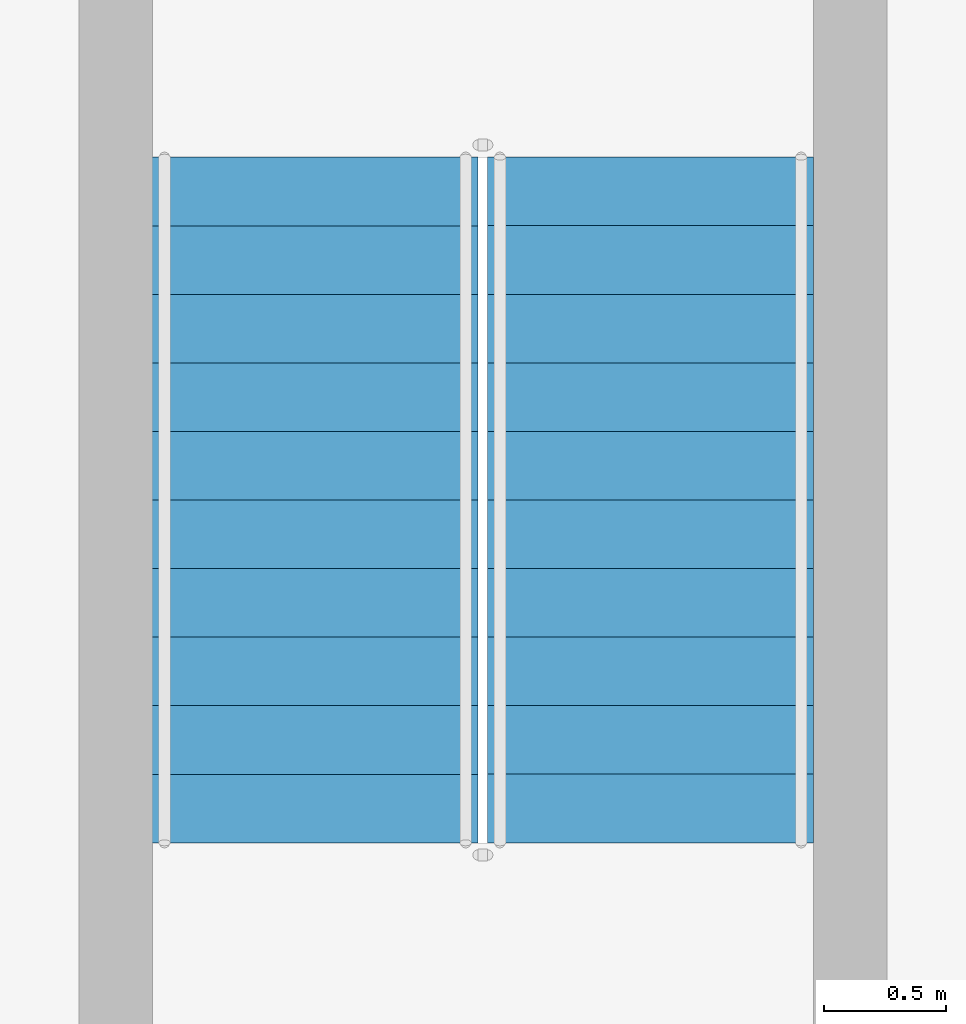
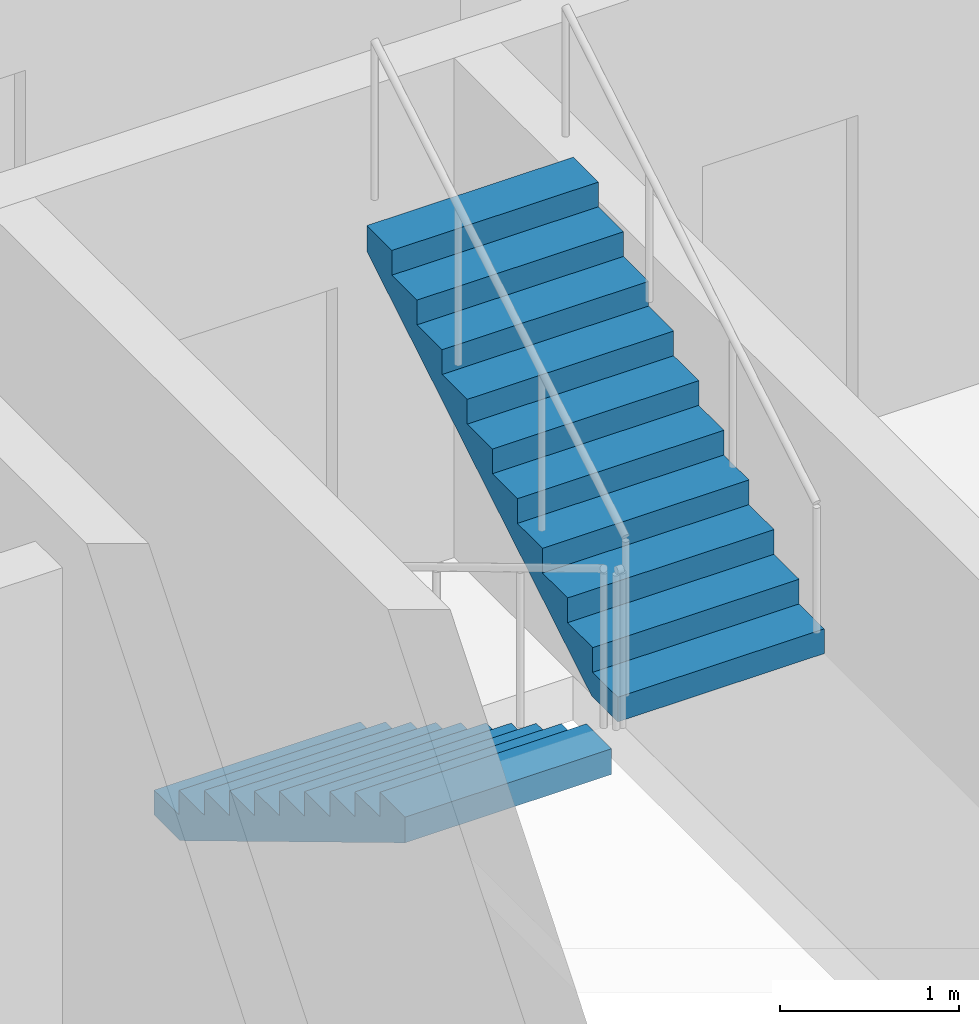
# One storey, part 26 of 33: 2 stair flights, 1 element without a shape of its own.
"""IFC4 building model written with IfcOpenShell, lengths in metres."""

from ifc_helpers import new_model, si_unit, direction, frame, origin, place, context, subcontext, project, spatial, triangles, source, transform, mapped, material, type_object, element, aggregate, save


model = new_model("IFC4")

# Units and contexts
model_context = context("Model", 3, precision=1e-05, world=origin(), true_north=direction((0.0, 1.0)))
body_context = subcontext(model_context, "Body", "Model", "MODEL_VIEW")
ifc_project = project(units=[si_unit("LENGTHUNIT", "METRE"), si_unit("AREAUNIT", "SQUARE_METRE"), si_unit("VOLUMEUNIT", "CUBIC_METRE"), si_unit("PLANEANGLEUNIT", "RADIAN"), si_unit("MASSUNIT", "GRAM", prefix="KILO")], contexts=[model_context])

# Site, building, storey
site_placement = place(None, origin())
site = spatial("IfcSite", under=ifc_project, at=site_placement, CompositionType="ELEMENT")
building_placement = place(site_placement, origin())
building = spatial("IfcBuilding", under=site, at=building_placement, Name="Ogive Portal Towers", CompositionType="ELEMENT")
storey_placement = place(building_placement, frame((0.0, 0.0, 101.89990234375)))
storey = spatial("IfcBuildingStorey", under=building, at=storey_placement, Name="L24", CompositionType="ELEMENT", Elevation=101.89990234375)

# Stair, stair flights
ifc_material = material(Name="Concrete C40/50", Category="concrete")
stair_type = type_object("IfcStairType", Name="INT-STAIR", PredefinedType="HALF_TURN_STAIR", material=ifc_material)
stair_placement = place(storey_placement, origin())
stair = element("IfcStair", 1, at=stair_placement, inside=storey, type_object=stair_type, Name="L24 Exit Stair ST-A4", PredefinedType="HALF_TURN_STAIR")
stair_flight_type = type_object("IfcStairFlightType", Name="INT-FLIGHT", PredefinedType="STRAIGHT", material=ifc_material)
shared_shape = source(origin(), body_context, "Body", "Tessellation", [
    triangles([(0.0, -0.6650390625, 0.0), (0.0, -0.384765625, 0.0), (0.0, -0.197021484375, 0.0), (0.0, -0.0830078125, 0.0), (0.0, -0.024658203125, 0.0), (0.0, -0.003173828125, 0.0), (0.0, 0.0, 0.0), (0.0, 0.003173828125, 0.0), (0.0, 0.024658203125, 0.0), (0.0, 0.0830078125, 0.0), (0.0, 0.197021484375, 0.0), (0.0, 0.384765625, 0.0), (0.0, 0.6650390625, 0.0), (0.0, -0.6650390625, 0.168212890625), (0.0, -0.384765625, 0.168212890625), (0.0, -0.197021484375, 0.168212890625), (0.0, -0.0830078125, 0.168212890625), (0.0, -0.024658203125, 0.168212890625), (0.0, -0.003173828125, 0.168212890625), (0.0, 0.0, 0.168212890625), (0.0, 0.003173828125, 0.168212890625), (0.0, 0.024658203125, 0.168212890625), (0.0, 0.0830078125, 0.168212890625), (0.0, 0.197021484375, 0.168212890625), (0.0, 0.384765625, 0.168212890625), (0.0, 0.6650390625, 0.168212890625), (0.280029296875, -0.6650390625, 0.168212890625), (0.280029296875, -0.384765625, 0.168212890625), (0.280029296875, -0.197021484375, 0.168212890625), (0.280029296875, -0.0830078125, 0.168212890625), (0.280029296875, -0.024658203125, 0.168212890625), (0.280029296875, -0.003173828125, 0.168212890625), (0.280029296875, 0.0, 0.168212890625), (0.280029296875, 0.003173828125, 0.168212890625), (0.280029296875, 0.024658203125, 0.168212890625), (0.280029296875, 0.0830078125, 0.168212890625), (0.280029296875, 0.197021484375, 0.168212890625), (0.280029296875, 0.384765625, 0.168212890625), (0.280029296875, 0.6650390625, 0.168212890625), (0.280029296875, -0.6650390625, 0.33642578125), (0.280029296875, -0.384765625, 0.33642578125), (0.280029296875, -0.197021484375, 0.33642578125), (0.280029296875, -0.0830078125, 0.33642578125), (0.280029296875, -0.024658203125, 0.33642578125), (0.280029296875, -0.003173828125, 0.33642578125), (0.280029296875, 0.0, 0.33642578125), (0.280029296875, 0.003173828125, 0.33642578125), (0.280029296875, 0.024658203125, 0.33642578125), (0.280029296875, 0.0830078125, 0.33642578125), (0.280029296875, 0.197021484375, 0.33642578125), (0.280029296875, 0.384765625, 0.33642578125), (0.280029296875, 0.6650390625, 0.33642578125), (0.56005859375, -0.6650390625, 0.33642578125), (0.56005859375, -0.384765625, 0.33642578125), (0.56005859375, -0.197021484375, 0.33642578125), (0.56005859375, -0.0830078125, 0.33642578125), (0.56005859375, -0.024658203125, 0.33642578125), (0.56005859375, -0.003173828125, 0.33642578125), (0.56005859375, 0.0, 0.33642578125), (0.56005859375, 0.003173828125, 0.33642578125), (0.56005859375, 0.024658203125, 0.33642578125), (0.56005859375, 0.0830078125, 0.33642578125), (0.56005859375, 0.197021484375, 0.33642578125), (0.56005859375, 0.384765625, 0.33642578125), (0.56005859375, 0.6650390625, 0.33642578125), (0.56005859375, -0.6650390625, 0.504638671875), (0.56005859375, -0.384765625, 0.504638671875), (0.56005859375, -0.197021484375, 0.504638671875), (0.56005859375, -0.0830078125, 0.504638671875), (0.56005859375, -0.024658203125, 0.504638671875), (0.56005859375, -0.003173828125, 0.504638671875), (0.56005859375, 0.0, 0.504638671875), (0.56005859375, 0.003173828125, 0.504638671875), (0.56005859375, 0.024658203125, 0.504638671875), (0.56005859375, 0.0830078125, 0.504638671875), (0.56005859375, 0.197021484375, 0.504638671875), (0.56005859375, 0.384765625, 0.504638671875), (0.56005859375, 0.6650390625, 0.504638671875), (0.840087890625, -0.6650390625, 0.504638671875), (0.840087890625, -0.384765625, 0.504638671875), (0.840087890625, -0.197021484375, 0.504638671875), (0.840087890625, -0.0830078125, 0.504638671875), (0.840087890625, -0.024658203125, 0.504638671875), (0.840087890625, -0.003173828125, 0.504638671875), (0.840087890625, 0.0, 0.504638671875), (0.840087890625, 0.003173828125, 0.504638671875), (0.840087890625, 0.024658203125, 0.504638671875), (0.840087890625, 0.0830078125, 0.504638671875), (0.840087890625, 0.197021484375, 0.504638671875), (0.840087890625, 0.384765625, 0.504638671875), (0.840087890625, 0.6650390625, 0.504638671875), (0.840087890625, -0.6650390625, 0.672607421875), (0.840087890625, -0.384765625, 0.672607421875), (0.840087890625, -0.197021484375, 0.672607421875), (0.840087890625, -0.0830078125, 0.672607421875), (0.840087890625, -0.024658203125, 0.672607421875), (0.840087890625, -0.003173828125, 0.672607421875), (0.840087890625, 0.0, 0.672607421875), (0.840087890625, 0.003173828125, 0.672607421875), (0.840087890625, 0.024658203125, 0.672607421875), (0.840087890625, 0.0830078125, 0.672607421875), (0.840087890625, 0.197021484375, 0.672607421875), (0.840087890625, 0.384765625, 0.672607421875), (0.840087890625, 0.6650390625, 0.672607421875), (1.1201171875, -0.6650390625, 0.672607421875), (1.1201171875, -0.384765625, 0.672607421875), (1.1201171875, -0.197021484375, 0.672607421875), (1.1201171875, -0.0830078125, 0.672607421875), (1.1201171875, -0.024658203125, 0.672607421875), (1.1201171875, -0.003173828125, 0.672607421875), (1.1201171875, 0.0, 0.672607421875), (1.1201171875, 0.003173828125, 0.672607421875), (1.1201171875, 0.024658203125, 0.672607421875), (1.1201171875, 0.0830078125, 0.672607421875), (1.1201171875, 0.197021484375, 0.672607421875), (1.1201171875, 0.384765625, 0.672607421875), (1.1201171875, 0.6650390625, 0.672607421875), (1.1201171875, -0.6650390625, 0.8408203125), (1.1201171875, -0.384765625, 0.8408203125), (1.1201171875, -0.197021484375, 0.8408203125), (1.1201171875, -0.0830078125, 0.8408203125), (1.1201171875, -0.024658203125, 0.8408203125), (1.1201171875, -0.003173828125, 0.8408203125), (1.1201171875, 0.0, 0.8408203125), (1.1201171875, 0.003173828125, 0.8408203125), (1.1201171875, 0.024658203125, 0.8408203125), (1.1201171875, 0.0830078125, 0.8408203125), (1.1201171875, 0.197021484375, 0.8408203125), (1.1201171875, 0.384765625, 0.8408203125), (1.1201171875, 0.6650390625, 0.8408203125), (1.39990234375, -0.6650390625, 0.8408203125), (1.39990234375, -0.384765625, 0.8408203125), (1.39990234375, -0.197021484375, 0.8408203125), (1.39990234375, -0.0830078125, 0.8408203125), (1.39990234375, -0.024658203125, 0.8408203125), (1.39990234375, -0.003173828125, 0.8408203125), (1.39990234375, 0.0, 0.8408203125), (1.39990234375, 0.003173828125, 0.8408203125), (1.39990234375, 0.024658203125, 0.8408203125), (1.39990234375, 0.0830078125, 0.8408203125), (1.39990234375, 0.197021484375, 0.8408203125), (1.39990234375, 0.384765625, 0.8408203125), (1.39990234375, 0.6650390625, 0.8408203125), (1.39990234375, -0.6650390625, 1.009033203125), (1.39990234375, -0.384765625, 1.009033203125), (1.39990234375, -0.197021484375, 1.009033203125), (1.39990234375, -0.0830078125, 1.009033203125), (1.39990234375, -0.024658203125, 1.009033203125), (1.39990234375, -0.003173828125, 1.009033203125), (1.39990234375, 0.0, 1.009033203125), (1.39990234375, 0.003173828125, 1.009033203125), (1.39990234375, 0.024658203125, 1.009033203125), (1.39990234375, 0.0830078125, 1.009033203125), (1.39990234375, 0.197021484375, 1.009033203125), (1.39990234375, 0.384765625, 1.009033203125), (1.39990234375, 0.6650390625, 1.009033203125), (1.679931640625, -0.6650390625, 1.009033203125), (1.679931640625, -0.384765625, 1.009033203125), (1.679931640625, -0.197021484375, 1.009033203125), (1.679931640625, -0.0830078125, 1.009033203125), (1.679931640625, -0.024658203125, 1.009033203125), (1.679931640625, -0.003173828125, 1.009033203125), (1.679931640625, 0.0, 1.009033203125), (1.679931640625, 0.003173828125, 1.009033203125), (1.679931640625, 0.024658203125, 1.009033203125), (1.679931640625, 0.0830078125, 1.009033203125), (1.679931640625, 0.197021484375, 1.009033203125), (1.679931640625, 0.384765625, 1.009033203125), (1.679931640625, 0.6650390625, 1.009033203125), (1.679931640625, -0.6650390625, 1.17724609375), (1.679931640625, -0.384765625, 1.17724609375), (1.679931640625, -0.197021484375, 1.17724609375), (1.679931640625, -0.0830078125, 1.17724609375), (1.679931640625, -0.024658203125, 1.17724609375), (1.679931640625, -0.003173828125, 1.17724609375), (1.679931640625, 0.0, 1.17724609375), (1.679931640625, 0.003173828125, 1.17724609375), (1.679931640625, 0.024658203125, 1.17724609375), (1.679931640625, 0.0830078125, 1.17724609375), (1.679931640625, 0.197021484375, 1.17724609375), (1.679931640625, 0.384765625, 1.17724609375), (1.679931640625, 0.6650390625, 1.17724609375), (1.9599609375, -0.6650390625, 1.17724609375), (1.9599609375, -0.384765625, 1.17724609375), (1.9599609375, -0.197021484375, 1.17724609375), (1.9599609375, -0.0830078125, 1.17724609375), (1.9599609375, -0.024658203125, 1.17724609375), (1.9599609375, -0.003173828125, 1.17724609375), (1.9599609375, 0.0, 1.17724609375), (1.9599609375, 0.003173828125, 1.17724609375), (1.9599609375, 0.024658203125, 1.17724609375), (1.9599609375, 0.0830078125, 1.17724609375), (1.9599609375, 0.197021484375, 1.17724609375), (1.9599609375, 0.384765625, 1.17724609375), (1.9599609375, 0.6650390625, 1.17724609375), (1.9599609375, -0.6650390625, 1.345458984375), (1.9599609375, -0.384765625, 1.345458984375), (1.9599609375, -0.197021484375, 1.345458984375), (1.9599609375, -0.0830078125, 1.345458984375), (1.9599609375, -0.024658203125, 1.345458984375), (1.9599609375, -0.003173828125, 1.345458984375), (1.9599609375, 0.0, 1.345458984375), (1.9599609375, 0.003173828125, 1.345458984375), (1.9599609375, 0.024658203125, 1.345458984375), (1.9599609375, 0.0830078125, 1.345458984375), (1.9599609375, 0.197021484375, 1.345458984375), (1.9599609375, 0.384765625, 1.345458984375), (1.9599609375, 0.6650390625, 1.345458984375), (2.239990234375, -0.6650390625, 1.345458984375), (2.239990234375, -0.384765625, 1.345458984375), (2.239990234375, -0.197021484375, 1.345458984375), (2.239990234375, -0.0830078125, 1.345458984375), (2.239990234375, -0.024658203125, 1.345458984375), (2.239990234375, -0.003173828125, 1.345458984375), (2.239990234375, 0.0, 1.345458984375), (2.239990234375, 0.003173828125, 1.345458984375), (2.239990234375, 0.024658203125, 1.345458984375), (2.239990234375, 0.0830078125, 1.345458984375), (2.239990234375, 0.197021484375, 1.345458984375), (2.239990234375, 0.384765625, 1.345458984375), (2.239990234375, 0.6650390625, 1.345458984375), (2.239990234375, -0.6650390625, 1.513671875), (2.239990234375, -0.384765625, 1.513671875), (2.239990234375, -0.197021484375, 1.513671875), (2.239990234375, -0.0830078125, 1.513671875), (2.239990234375, -0.024658203125, 1.513671875), (2.239990234375, -0.003173828125, 1.513671875), (2.239990234375, 0.0, 1.513671875), (2.239990234375, 0.003173828125, 1.513671875), (2.239990234375, 0.024658203125, 1.513671875), (2.239990234375, 0.0830078125, 1.513671875), (2.239990234375, 0.197021484375, 1.513671875), (2.239990234375, 0.384765625, 1.513671875), (2.239990234375, 0.6650390625, 1.513671875), (2.52001953125, -0.6650390625, 1.513671875), (2.52001953125, -0.384765625, 1.513671875), (2.52001953125, -0.197021484375, 1.513671875), (2.52001953125, -0.0830078125, 1.513671875), (2.52001953125, -0.024658203125, 1.513671875), (2.52001953125, -0.003173828125, 1.513671875), (2.52001953125, 0.0, 1.513671875), (2.52001953125, 0.003173828125, 1.513671875), (2.52001953125, 0.024658203125, 1.513671875), (2.52001953125, 0.0830078125, 1.513671875), (2.52001953125, 0.197021484375, 1.513671875), (2.52001953125, 0.384765625, 1.513671875), (2.52001953125, 0.6650390625, 1.513671875), (2.52001953125, -0.6650390625, 1.681884765625), (2.52001953125, -0.384765625, 1.681884765625), (2.52001953125, -0.197021484375, 1.681884765625), (2.52001953125, -0.0830078125, 1.681884765625), (2.52001953125, -0.024658203125, 1.681884765625), (2.52001953125, -0.003173828125, 1.681884765625), (2.52001953125, 0.0, 1.681884765625), (2.52001953125, 0.003173828125, 1.681884765625), (2.52001953125, 0.024658203125, 1.681884765625), (2.52001953125, 0.0830078125, 1.681884765625), (2.52001953125, 0.197021484375, 1.681884765625), (2.52001953125, 0.384765625, 1.681884765625), (2.52001953125, 0.6650390625, 1.681884765625), (2.800048828125, -0.6650390625, 1.681884765625), (2.800048828125, -0.384765625, 1.681884765625), (2.800048828125, -0.197021484375, 1.681884765625), (2.800048828125, -0.0830078125, 1.681884765625), (2.800048828125, -0.024658203125, 1.681884765625), (2.800048828125, -0.003173828125, 1.681884765625), (2.800048828125, 0.0, 1.681884765625), (2.800048828125, 0.003173828125, 1.681884765625), (2.800048828125, 0.024658203125, 1.681884765625), (2.800048828125, 0.0830078125, 1.681884765625), (2.800048828125, 0.197021484375, 1.681884765625), (2.800048828125, 0.384765625, 1.681884765625), (2.800048828125, 0.6650390625, 1.681884765625), (2.800048828125, -0.6650390625, 1.5068359375), (2.800048828125, -0.384765625, 1.5068359375), (2.800048828125, -0.197021484375, 1.5068359375), (2.800048828125, -0.0830078125, 1.5068359375), (2.800048828125, -0.024658203125, 1.5068359375), (2.800048828125, -0.003173828125, 1.5068359375), (2.800048828125, 0.0, 1.5068359375), (2.800048828125, 0.003173828125, 1.5068359375), (2.800048828125, 0.024658203125, 1.5068359375), (2.800048828125, 0.0830078125, 1.5068359375), (2.800048828125, 0.197021484375, 1.5068359375), (2.800048828125, 0.384765625, 1.5068359375), (2.800048828125, 0.6650390625, 1.5068359375), (0.291015625, -0.6650390625, 0.0), (0.291015625, -0.384765625, 0.0), (0.291015625, -0.197021484375, 0.0), (0.291015625, -0.0830078125, 0.0), (0.291015625, -0.024658203125, 0.0), (0.291015625, -0.003173828125, 0.0), (0.291015625, 0.0, 0.0), (0.291015625, 0.003173828125, 0.0), (0.291015625, 0.024658203125, 0.0), (0.291015625, 0.0830078125, 0.0), (0.291015625, 0.197021484375, 0.0), (0.291015625, 0.384765625, 0.0), (0.291015625, 0.6650390625, 0.0)], [[1, 14, 15], [1, 15, 2], [2, 15, 16], [2, 16, 3], [3, 16, 17], [3, 17, 4], [4, 17, 18], [4, 18, 5], [5, 18, 19], [5, 19, 6], [6, 19, 20], [6, 20, 7], [7, 20, 21], [7, 21, 8], [8, 21, 22], [8, 22, 9], [9, 22, 23], [9, 23, 10], [10, 23, 24], [10, 24, 11], [11, 24, 25], [11, 25, 12], [12, 25, 26], [12, 26, 13], [14, 27, 28], [14, 28, 15], [15, 28, 29], [15, 29, 16], [16, 29, 30], [16, 30, 17], [17, 30, 31], [17, 31, 18], [18, 31, 32], [18, 32, 19], [19, 32, 33], [19, 33, 20], [20, 33, 34], [20, 34, 21], [21, 34, 35], [21, 35, 22], [22, 35, 36], [22, 36, 23], [23, 36, 37], [23, 37, 24], [24, 37, 38], [24, 38, 25], [25, 38, 39], [25, 39, 26], [27, 40, 41], [27, 41, 28], [28, 41, 42], [28, 42, 29], [29, 42, 43], [29, 43, 30], [30, 43, 44], [30, 44, 31], [31, 44, 45], [31, 45, 32], [32, 45, 46], [32, 46, 33], [33, 46, 47], [33, 47, 34], [34, 47, 48], [34, 48, 35], [35, 48, 49], [35, 49, 36], [36, 49, 50], [36, 50, 37], [37, 50, 51], [37, 51, 38], [38, 51, 52], [38, 52, 39], [40, 53, 54], [40, 54, 41], [41, 54, 55], [41, 55, 42], [42, 55, 56], [42, 56, 43], [43, 56, 57], [43, 57, 44], [44, 57, 58], [44, 58, 45], [45, 58, 59], [45, 59, 46], [46, 59, 60], [46, 60, 47], [47, 60, 61], [47, 61, 48], [48, 61, 62], [48, 62, 49], [49, 62, 63], [49, 63, 50], [50, 63, 64], [50, 64, 51], [51, 64, 65], [51, 65, 52], [53, 66, 67], [53, 67, 54], [54, 67, 68], [54, 68, 55], [55, 68, 69], [55, 69, 56], [56, 69, 70], [56, 70, 57], [57, 70, 71], [57, 71, 58], [58, 71, 72], [58, 72, 59], [59, 72, 73], [59, 73, 60], [60, 73, 74], [60, 74, 61], [61, 74, 75], [61, 75, 62], [62, 75, 76], [62, 76, 63], [63, 76, 77], [63, 77, 64], [64, 77, 78], [64, 78, 65], [66, 79, 80], [66, 80, 67], [67, 80, 81], [67, 81, 68], [68, 81, 82], [68, 82, 69], [69, 82, 83], [69, 83, 70], [70, 83, 84], [70, 84, 71], [71, 84, 85], [71, 85, 72], [72, 85, 86], [72, 86, 73], [73, 86, 87], [73, 87, 74], [74, 87, 88], [74, 88, 75], [75, 88, 89], [75, 89, 76], [76, 89, 90], [76, 90, 77], [77, 90, 91], [77, 91, 78], [79, 92, 93], [79, 93, 80], [80, 93, 94], [80, 94, 81], [81, 94, 95], [81, 95, 82], [82, 95, 96], [82, 96, 83], [83, 96, 97], [83, 97, 84], [84, 97, 98], [84, 98, 85], [85, 98, 99], [85, 99, 86], [86, 99, 100], [86, 100, 87], [87, 100, 101], [87, 101, 88], [88, 101, 102], [88, 102, 89], [89, 102, 103], [89, 103, 90], [90, 103, 104], [90, 104, 91], [92, 105, 106], [92, 106, 93], [93, 106, 107], [93, 107, 94], [94, 107, 108], [94, 108, 95], [95, 108, 109], [95, 109, 96], [96, 109, 110], [96, 110, 97], [97, 110, 111], [97, 111, 98], [98, 111, 112], [98, 112, 99], [99, 112, 113], [99, 113, 100], [100, 113, 114], [100, 114, 101], [101, 114, 115], [101, 115, 102], [102, 115, 116], [102, 116, 103], [103, 116, 117], [103, 117, 104], [105, 118, 119], [105, 119, 106], [106, 119, 120], [106, 120, 107], [107, 120, 121], [107, 121, 108], [108, 121, 122], [108, 122, 109], [109, 122, 123], [109, 123, 110], [110, 123, 124], [110, 124, 111], [111, 124, 125], [111, 125, 112], [112, 125, 126], [112, 126, 113], [113, 126, 127], [113, 127, 114], [114, 127, 128], [114, 128, 115], [115, 128, 129], [115, 129, 116], [116, 129, 130], [116, 130, 117], [118, 131, 132], [118, 132, 119], [119, 132, 133], [119, 133, 120], [120, 133, 134], [120, 134, 121], [121, 134, 135], [121, 135, 122], [122, 135, 136], [122, 136, 123], [123, 136, 137], [123, 137, 124], [124, 137, 138], [124, 138, 125], [125, 138, 139], [125, 139, 126], [126, 139, 140], [126, 140, 127], [127, 140, 141], [127, 141, 128], [128, 141, 142], [128, 142, 129], [129, 142, 143], [129, 143, 130], [131, 144, 145], [131, 145, 132], [132, 145, 146], [132, 146, 133], [133, 146, 147], [133, 147, 134], [134, 147, 148], [134, 148, 135], [135, 148, 149], [135, 149, 136], [136, 149, 150], [136, 150, 137], [137, 150, 151], [137, 151, 138], [138, 151, 152], [138, 152, 139], [139, 152, 153], [139, 153, 140], [140, 153, 154], [140, 154, 141], [141, 154, 155], [141, 155, 142], [142, 155, 156], [142, 156, 143], [144, 157, 158], [144, 158, 145], [145, 158, 159], [145, 159, 146], [146, 159, 160], [146, 160, 147], [147, 160, 161], [147, 161, 148], [148, 161, 162], [148, 162, 149], [149, 162, 163], [149, 163, 150], [150, 163, 164], [150, 164, 151], [151, 164, 165], [151, 165, 152], [152, 165, 166], [152, 166, 153], [153, 166, 167], [153, 167, 154], [154, 167, 168], [154, 168, 155], [155, 168, 169], [155, 169, 156], [157, 170, 171], [157, 171, 158], [158, 171, 172], [158, 172, 159], [159, 172, 173], [159, 173, 160], [160, 173, 174], [160, 174, 161], [161, 174, 175], [161, 175, 162], [162, 175, 176], [162, 176, 163], [163, 176, 177], [163, 177, 164], [164, 177, 178], [164, 178, 165], [165, 178, 179], [165, 179, 166], [166, 179, 180], [166, 180, 167], [167, 180, 181], [167, 181, 168], [168, 181, 182], [168, 182, 169], [170, 183, 184], [170, 184, 171], [171, 184, 185], [171, 185, 172], [172, 185, 186], [172, 186, 173], [173, 186, 187], [173, 187, 174], [174, 187, 188], [174, 188, 175], [175, 188, 189], [175, 189, 176], [176, 189, 190], [176, 190, 177], [177, 190, 191], [177, 191, 178], [178, 191, 192], [178, 192, 179], [179, 192, 193], [179, 193, 180], [180, 193, 194], [180, 194, 181], [181, 194, 195], [181, 195, 182], [183, 196, 197], [183, 197, 184], [184, 197, 198], [184, 198, 185], [185, 198, 199], [185, 199, 186], [186, 199, 200], [186, 200, 187], [187, 200, 201], [187, 201, 188], [188, 201, 202], [188, 202, 189], [189, 202, 203], [189, 203, 190], [190, 203, 204], [190, 204, 191], [191, 204, 205], [191, 205, 192], [192, 205, 206], [192, 206, 193], [193, 206, 207], [193, 207, 194], [194, 207, 208], [194, 208, 195], [196, 209, 210], [196, 210, 197], [197, 210, 211], [197, 211, 198], [198, 211, 212], [198, 212, 199], [199, 212, 213], [199, 213, 200], [200, 213, 214], [200, 214, 201], [201, 214, 215], [201, 215, 202], [202, 215, 216], [202, 216, 203], [203, 216, 217], [203, 217, 204], [204, 217, 218], [204, 218, 205], [205, 218, 219], [205, 219, 206], [206, 219, 220], [206, 220, 207], [207, 220, 221], [207, 221, 208], [209, 222, 223], [209, 223, 210], [210, 223, 224], [210, 224, 211], [211, 224, 225], [211, 225, 212], [212, 225, 226], [212, 226, 213], [213, 226, 227], [213, 227, 214], [214, 227, 228], [214, 228, 215], [215, 228, 229], [215, 229, 216], [216, 229, 230], [216, 230, 217], [217, 230, 231], [217, 231, 218], [218, 231, 232], [218, 232, 219], [219, 232, 233], [219, 233, 220], [220, 233, 234], [220, 234, 221], [222, 235, 236], [222, 236, 223], [223, 236, 237], [223, 237, 224], [224, 237, 238], [224, 238, 225], [225, 238, 239], [225, 239, 226], [226, 239, 240], [226, 240, 227], [227, 240, 241], [227, 241, 228], [228, 241, 242], [228, 242, 229], [229, 242, 243], [229, 243, 230], [230, 243, 244], [230, 244, 231], [231, 244, 245], [231, 245, 232], [232, 245, 246], [232, 246, 233], [233, 246, 247], [233, 247, 234], [235, 248, 249], [235, 249, 236], [236, 249, 250], [236, 250, 237], [237, 250, 251], [237, 251, 238], [238, 251, 252], [238, 252, 239], [239, 252, 253], [239, 253, 240], [240, 253, 254], [240, 254, 241], [241, 254, 255], [241, 255, 242], [242, 255, 256], [242, 256, 243], [243, 256, 257], [243, 257, 244], [244, 257, 258], [244, 258, 245], [245, 258, 259], [245, 259, 246], [246, 259, 260], [246, 260, 247], [248, 261, 262], [248, 262, 249], [249, 262, 263], [249, 263, 250], [250, 263, 264], [250, 264, 251], [251, 264, 265], [251, 265, 252], [252, 265, 266], [252, 266, 253], [253, 266, 267], [253, 267, 254], [254, 267, 268], [254, 268, 255], [255, 268, 269], [255, 269, 256], [256, 269, 270], [256, 270, 257], [257, 270, 271], [257, 271, 258], [258, 271, 272], [258, 272, 259], [259, 272, 273], [259, 273, 260], [261, 274, 275], [261, 275, 262], [262, 275, 276], [262, 276, 263], [263, 276, 277], [263, 277, 264], [264, 277, 278], [264, 278, 265], [265, 278, 279], [265, 279, 266], [266, 279, 280], [266, 280, 267], [267, 280, 281], [267, 281, 268], [268, 281, 282], [268, 282, 269], [269, 282, 283], [269, 283, 270], [270, 283, 284], [270, 284, 271], [271, 284, 285], [271, 285, 272], [272, 285, 286], [272, 286, 273], [274, 287, 288], [274, 288, 275], [275, 288, 289], [275, 289, 276], [276, 289, 290], [276, 290, 277], [277, 290, 291], [277, 291, 278], [278, 291, 292], [278, 292, 279], [279, 292, 293], [279, 293, 280], [280, 293, 294], [280, 294, 281], [281, 294, 295], [281, 295, 282], [282, 295, 296], [282, 296, 283], [283, 296, 297], [283, 297, 284], [284, 297, 298], [284, 298, 285], [285, 298, 299], [285, 299, 286], [287, 1, 2], [287, 2, 288], [288, 2, 3], [288, 3, 289], [289, 3, 4], [289, 4, 290], [290, 4, 5], [290, 5, 291], [291, 5, 6], [291, 6, 292], [292, 6, 7], [292, 7, 293], [293, 7, 8], [293, 8, 294], [294, 8, 9], [294, 9, 295], [295, 9, 10], [295, 10, 296], [296, 10, 11], [296, 11, 297], [297, 11, 12], [297, 12, 298], [298, 12, 13], [298, 13, 299], [1, 287, 274], [13, 286, 299], [274, 261, 248], [286, 260, 273], [274, 248, 235], [286, 247, 260], [274, 235, 222], [286, 234, 247], [274, 222, 209], [286, 221, 234], [209, 196, 183], [221, 195, 208], [274, 209, 183], [286, 195, 221], [183, 170, 157], [195, 169, 182], [274, 183, 157], [286, 169, 195], [157, 144, 131], [169, 143, 156], [274, 157, 131], [286, 143, 169], [131, 118, 105], [143, 117, 130], [274, 131, 105], [286, 117, 143], [1, 274, 105], [13, 117, 286], [105, 92, 79], [117, 91, 104], [79, 66, 53], [91, 65, 78], [105, 79, 53], [117, 65, 91], [53, 40, 27], [65, 39, 52], [105, 53, 27], [117, 39, 65], [1, 105, 27], [13, 39, 117], [27, 14, 1], [39, 13, 26]], closed=True),
])
stair_flight_1_placement = place(storey_placement, frame((87.6650390625, 29.169921875, 0.0), z_axis=(0.0, 0.0, 1.0), x_axis=(0.0, -1.0, 0.0)))
stair_flight_1 = element("IfcStairFlight", 2, at=stair_flight_1_placement, type_object=stair_flight_type, Name="ST-A4 flight 1", NumberOfRisers=11, NumberOfTreads=10, PredefinedType="STRAIGHT", RiserHeight=0.168181818, TreadLength=0.28, context=body_context, shape_type="MappedRepresentation", body=[
    mapped(shared_shape, transform((0.0, 0.0, 0.0), scale=1.0)),
])
stair_flight_2_placement = place(storey_placement, frame((89.034912109375, 26.3701171875, 1.85009765625), z_axis=(0.0, 0.0, 1.0), x_axis=(0.0, 1.0, 0.0)))
stair_flight_2 = element("IfcStairFlight", 3, at=stair_flight_2_placement, type_object=stair_flight_type, Name="ST-A4 flight 2", NumberOfRisers=11, NumberOfTreads=10, PredefinedType="STRAIGHT", RiserHeight=0.168181818, TreadLength=0.28, context=body_context, shape_type="MappedRepresentation", body=[
    mapped(shared_shape, transform((0.0, 0.0, 0.0), scale=1.0)),
])
aggregate(stair, [stair_flight_1, stair_flight_2])

save(model, "model.ifc")
